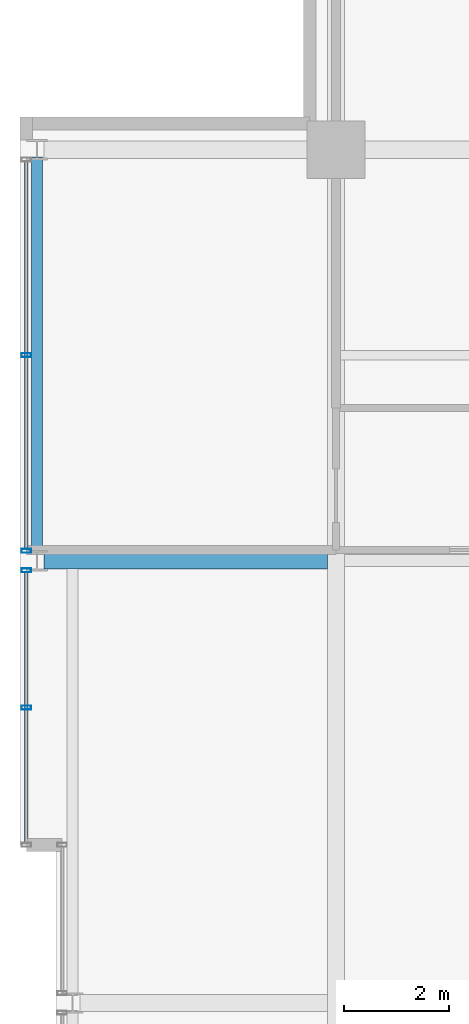
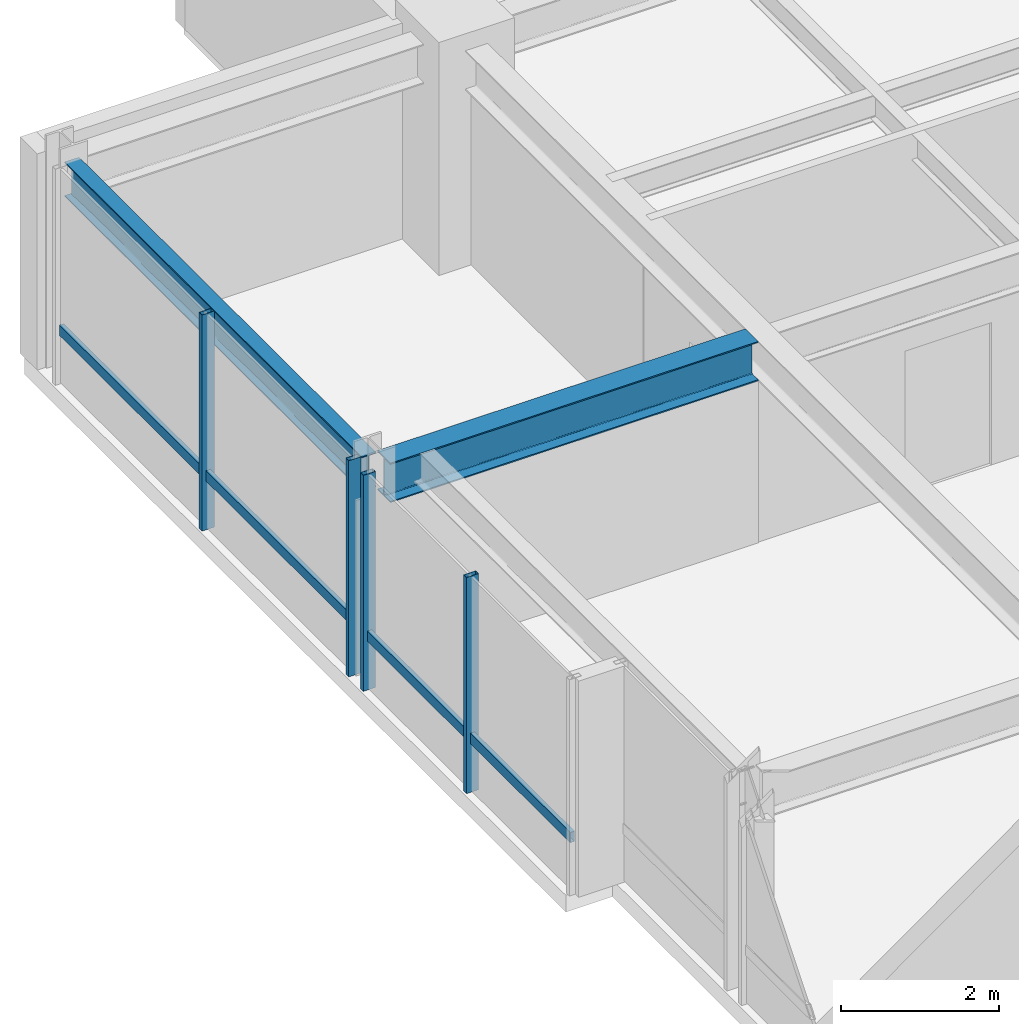
# One storey, part 17 of 30: 6 members, 2 beams, 2 elements without a shape of their own.
"""IFC4 building model written with IfcOpenShell, lengths in metres."""

from ifc_helpers import new_model, si_unit, direction, frame, origin, origin_2d, place, context, subcontext, project, spatial, hollow_rectangle, i_section, extrude, material, layer, layer_set, material_profile, profile_set, type_object, element, aggregate, save


model = new_model("IFC4")

# Units and contexts
model_context = context("Model", 3, precision=1e-05, world=origin(), true_north=direction((0.0, 1.0)))
body_context = subcontext(model_context, "Body", "Model", "MODEL_VIEW")
ifc_project = project(units=[si_unit("LENGTHUNIT", "METRE"), si_unit("AREAUNIT", "SQUARE_METRE"), si_unit("VOLUMEUNIT", "CUBIC_METRE"), si_unit("PLANEANGLEUNIT", "RADIAN"), si_unit("MASSUNIT", "GRAM", prefix="KILO")], contexts=[model_context])

# Site, building, storey
site_placement = place(None, origin())
site = spatial("IfcSite", under=ifc_project, at=site_placement, CompositionType="ELEMENT")
building_placement = place(site_placement, origin())
building = spatial("IfcBuilding", under=site, at=building_placement, Name="Drelvath Grand Hotel", CompositionType="ELEMENT")
storey_placement = place(building_placement, frame((0.0, 0.0, 215.89990234375)))
storey = spatial("IfcBuildingStorey", under=building, at=storey_placement, Name="L56", CompositionType="ELEMENT", Elevation=215.89990234375)

# Curtain wall, member
ifc_material_1 = material(Name="Platinum-Mist Anodised Aluminium Frame", Category="aluminium")
ifc_layer = layer(ifc_material_1, 0.199951171875)
ifc_layer_set = layer_set([ifc_layer], Name="Platinum-Mist Anodised Aluminium Frame")
curtain_wall_type = type_object("IfcCurtainWallType", Name="Stick Curtain Wall CW-05 Platinum Mist High-Rise", PredefinedType="NOTDEFINED", material=ifc_layer_set)
curtain_wall_1_placement = place(storey_placement, origin())
curtain_wall_1 = element("IfcCurtainWall", 1, at=curtain_wall_1_placement, inside=storey, type_object=curtain_wall_type, Name="L56 CW-05 Curtain Wall CW05-L56-WN1", PredefinedType="NOTDEFINED")
ifc_material_profile_1 = material_profile(ifc_material_1, hollow_rectangle(XDim=0.06494140625, YDim=0.159912109375, WallThickness=0.00390625, at=origin_2d()), Name="HSS160X65X4")
ifc_profile_set_1 = profile_set([ifc_material_profile_1], Name="Platinum-Mist Anodised Aluminium Frame")
member_type_1 = type_object("IfcMemberType", Name="Curtain Wall Horizontal Transom CW-05 HSS160X65X4", PredefinedType="USERDEFINED", material=ifc_profile_set_1)
member_1_placement = place(storey_placement, frame((-22.080078125, 30.0400390625, 0.835205078125), z_axis=(0.0, 1.0, 0.0), x_axis=(-1.0, 0.0, 0.0)))
member_1 = element("IfcMember", 2, at=member_1_placement, type_object=member_type_1, Name="CW05-L56-WN1 Sill Transom", ObjectType="TRANSOM", PredefinedType="USERDEFINED", context=body_context, shape_type="SweptSolid", body=[
    extrude(hollow_rectangle(XDim=0.06494140625, YDim=0.159912109375, WallThickness=0.00390625, at=origin_2d()), origin(), (0.0, 0.0, 1.0), 5.134765625),
])

curtain_wall_2_placement = place(storey_placement, origin())
curtain_wall_2 = element("IfcCurtainWall", 3, at=curtain_wall_2_placement, inside=storey, type_object=curtain_wall_type, Name="L56 CW-05 Curtain Wall CW05-L56-WN2", PredefinedType="NOTDEFINED")
member_2_placement = place(storey_placement, frame((-22.080078125, 35.625244140625, 0.835205078125), z_axis=(0.0, 1.0, 0.0), x_axis=(-1.0, 0.0, 0.0)))
member_2 = element("IfcMember", 4, at=member_2_placement, type_object=member_type_1, Name="CW05-L56-WN2 Sill Transom", ObjectType="TRANSOM", PredefinedType="USERDEFINED", context=body_context, shape_type="SweptSolid", body=[
    extrude(hollow_rectangle(XDim=0.06494140625, YDim=0.159912109375, WallThickness=0.00390625, at=origin_2d()), origin(), (0.0, 0.0, 1.0), 7.349365234375),
])

# Member
ifc_material_profile_2 = material_profile(ifc_material_1, hollow_rectangle(XDim=0.074951171875, YDim=0.179931640625, WallThickness=0.0048828125, at=origin_2d()), Name="HSS180X75X5")
ifc_profile_set_2 = profile_set([ifc_material_profile_2], Name="Platinum-Mist Anodised Aluminium Frame")
member_type_2 = type_object("IfcMemberType", Name="Curtain Wall Vertical Mullion CW-05 HSS180X75X5", PredefinedType="MULLION", material=ifc_profile_set_2)
member_3_placement = place(storey_placement, frame((-22.080078125, 32.607421875, 0.0), z_axis=(0.0, 0.0, 1.0), x_axis=(0.0, 1.0, 0.0)))
member_3 = element("IfcMember", 5, at=member_3_placement, type_object=member_type_2, Name="CW05-L56-WN1 Mullion 2", PredefinedType="MULLION", context=body_context, shape_type="SweptSolid", body=[
    extrude(hollow_rectangle(XDim=0.074951171875, YDim=0.179931640625, WallThickness=0.0048828125, at=origin_2d()), origin(), (0.0, 0.0, 1.0), 3.340087890625),
])

member_4_placement = place(storey_placement, frame((-22.080078125, 35.214599609375, 0.0), z_axis=(0.0, 0.0, 1.0), x_axis=(0.0, 1.0, 0.0)))
member_4 = element("IfcMember", 6, at=member_4_placement, type_object=member_type_2, Name="CW05-L56-WN1 Mullion 3", PredefinedType="MULLION", context=body_context, shape_type="SweptSolid", body=[
    extrude(hollow_rectangle(XDim=0.074951171875, YDim=0.179931640625, WallThickness=0.0048828125, at=origin_2d()), origin(), (0.0, 0.0, 1.0), 3.340087890625),
])

aggregate(curtain_wall_1, [member_3, member_4, member_1])

member_5_placement = place(storey_placement, frame((-22.080078125, 35.585205078125, 0.0), z_axis=(0.0, 0.0, 1.0), x_axis=(0.0, 1.0, 0.0)))
member_5 = element("IfcMember", 7, at=member_5_placement, type_object=member_type_2, Name="CW05-L56-WN2 Mullion 1", PredefinedType="MULLION", context=body_context, shape_type="SweptSolid", body=[
    extrude(hollow_rectangle(XDim=0.074951171875, YDim=0.179931640625, WallThickness=0.0048828125, at=origin_2d()), origin(), (0.0, 0.0, 1.0), 3.340087890625),
])

member_6_placement = place(storey_placement, frame((-22.080078125, 39.300048828125, 0.0), z_axis=(0.0, 0.0, 1.0), x_axis=(0.0, 1.0, 0.0)))
member_6 = element("IfcMember", 8, at=member_6_placement, type_object=member_type_2, Name="CW05-L56-WN2 Mullion 2", PredefinedType="MULLION", context=body_context, shape_type="SweptSolid", body=[
    extrude(hollow_rectangle(XDim=0.074951171875, YDim=0.179931640625, WallThickness=0.0048828125, at=origin_2d()), origin(), (0.0, 0.0, 1.0), 3.340087890625),
])

aggregate(curtain_wall_2, [member_5, member_6, member_2])

# Beams
ifc_material_2 = material(Name="Steel ASTM A992 Gr 50", Category="steel")
ifc_material_profile_3 = material_profile(ifc_material_2, i_section(OverallWidth=0.210205078125, OverallDepth=0.53662109375, WebThickness=0.010986328125, FlangeThickness=0.017333984375, FilletRadius=0.01806640625, at=origin_2d()), Name="W21X68")
ifc_profile_set_3 = profile_set([ifc_material_profile_3], Name="Steel ASTM A992 Gr 50")
beam_type_1 = type_object("IfcBeamType", Name="Perimeter Spandrel Beam W21X68", PredefinedType="SPANDREL", material=ifc_profile_set_3)
beam_1_placement = place(storey_placement, frame((-21.8798828125, 35.5400390625, 3.07177734375), z_axis=(0.0, 1.0, 0.0), x_axis=(-1.0, 0.0, 0.0)))
element("IfcBeam", 9, at=beam_1_placement, inside=storey, type_object=beam_type_1, Name="L56 Spandrel West N", PredefinedType="SPANDREL", context=body_context, shape_type="SweptSolid", body=[
    extrude(i_section(OverallWidth=0.210205078125, OverallDepth=0.53662109375, WebThickness=0.010986328125, FlangeThickness=0.017333984375, FilletRadius=0.01806640625, at=origin_2d()), origin(), (0.0, 0.0, 1.0), 7.52001953125),
])
ifc_material_profile_4 = material_profile(ifc_material_2, i_section(OverallWidth=0.323974609375, OverallDepth=0.611083984375, WebThickness=0.0126953125, FlangeThickness=0.01904296875, FilletRadius=0.02197265625, at=origin_2d()), Name="W24X104")
ifc_profile_set_4 = profile_set([ifc_material_profile_4], Name="Steel ASTM A992 Gr 50")
beam_type_2 = type_object("IfcBeamType", Name="Primary Floor Girder W24X104", PredefinedType="BEAM", material=ifc_profile_set_4)
beam_2_placement = place(storey_placement, frame((-21.739990234375, 35.39990234375, 3.034423828125), z_axis=(1.0, 0.0, 0.0), x_axis=(0.0, 1.0, 0.0)))
element("IfcBeam", 10, at=beam_2_placement, inside=storey, type_object=beam_type_2, Name="L56 West Wing Girder F", PredefinedType="BEAM", context=body_context, shape_type="SweptSolid", body=[
    extrude(i_section(OverallWidth=0.323974609375, OverallDepth=0.611083984375, WebThickness=0.0126953125, FlangeThickness=0.01904296875, FilletRadius=0.02197265625, at=origin_2d()), origin(), (0.0, 0.0, 1.0), 5.3779296875),
])

save(model, "model.ifc")
